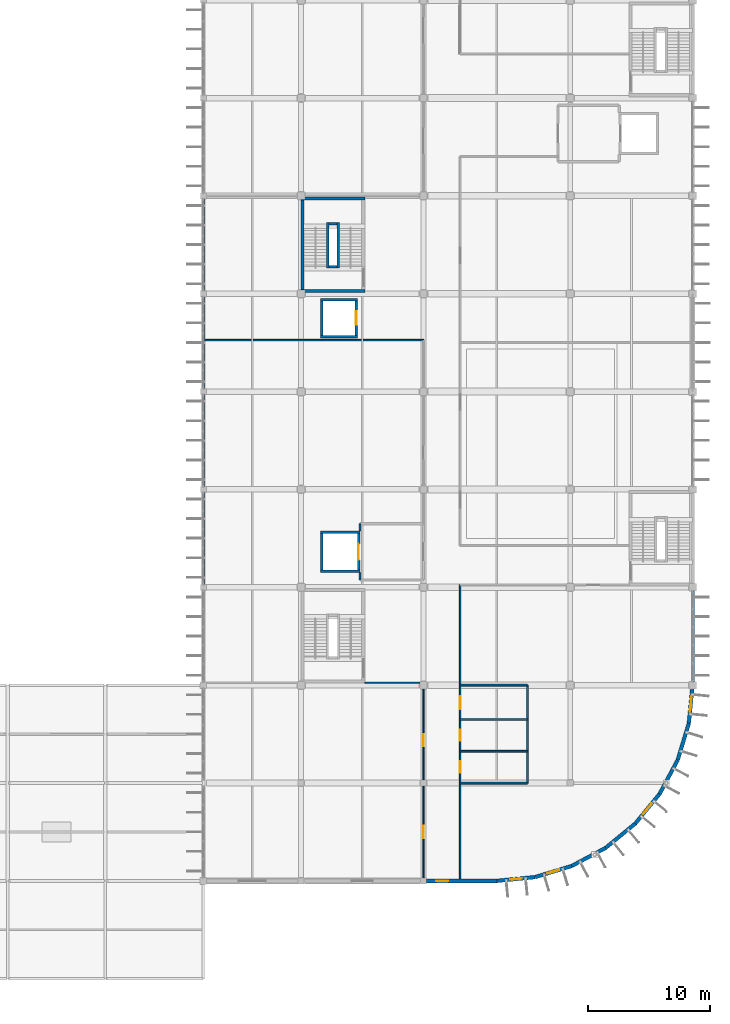
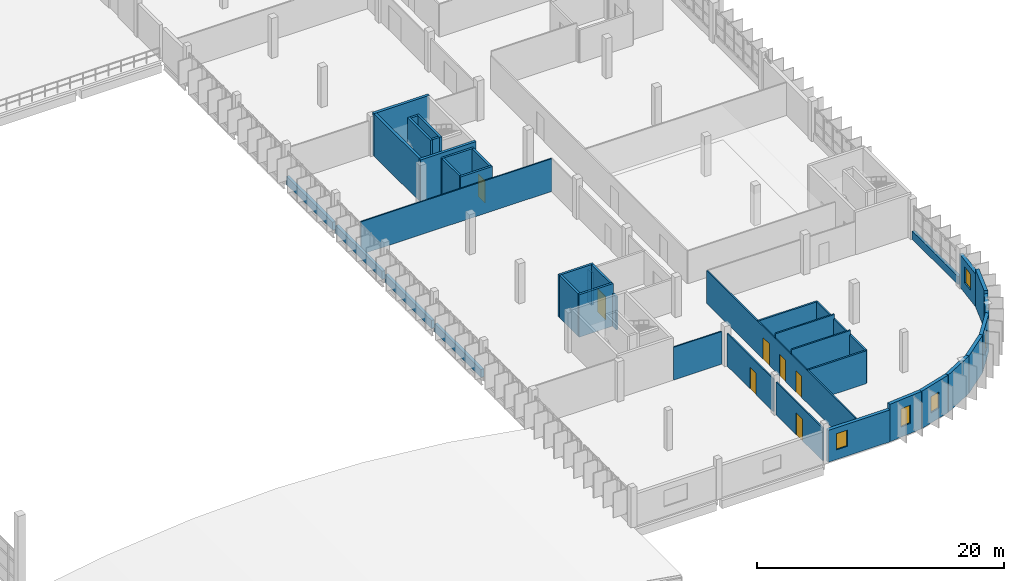
# One storey, part 51 of 66: 41 walls, 7 doors, 5 windows, 12 openings.
"""IFC4 building model written with IfcOpenShell, lengths in metres."""

from ifc_helpers import new_model, si_unit, direction, frame, frame_2d, origin, place, context, subcontext, project, spatial, rectangle, extrude, material, layer, layer_set, type_object, element, fill, save


model = new_model("IFC4")

# Units and contexts
model_context = context("Model", 3, precision=1e-05, world=origin(), true_north=direction((0.0, 1.0)))
body_context = subcontext(model_context, "Body", "Model", "MODEL_VIEW")
ifc_project = project(units=[si_unit("LENGTHUNIT", "METRE"), si_unit("AREAUNIT", "SQUARE_METRE"), si_unit("VOLUMEUNIT", "CUBIC_METRE"), si_unit("PLANEANGLEUNIT", "RADIAN"), si_unit("MASSUNIT", "GRAM", prefix="KILO")], contexts=[model_context])

# Site, building, storey
site_placement = place(None, origin())
site = spatial("IfcSite", under=ifc_project, at=site_placement, CompositionType="ELEMENT")
building_placement = place(site_placement, origin())
building = spatial("IfcBuilding", under=site, at=building_placement, Name="Drelvana Railside Aquatics Centre", CompositionType="ELEMENT")
storey_placement = place(building_placement, frame((0.0, 0.0, 10.199951171875)))
storey = spatial("IfcBuildingStorey", under=building, at=storey_placement, Name="L02", CompositionType="ELEMENT", Elevation=10.199951171875)

# Walls
ifc_material_1 = material(Name="Concrete blockwork compartment wall", Category="masonry")
ifc_layer_1 = layer(ifc_material_1, 0.18505859375, Name="Concrete blockwork compartment wall")
ifc_layer_set_1 = layer_set([ifc_layer_1], Name="Concrete blockwork compartment wall")
wall_type_1 = type_object("IfcWallType", Name="WL-COMP-185", PredefinedType="STANDARD", material=ifc_layer_set_1)
for number, where, z_axis, x_axis, name in (
    (1, (156.800048828125, 32.60009765625, 0.0), (0.0, 0.0, 1.0), (0.0, 1.0, 0.0), "Firefighting lobby FL-01 SHS wall (L02)"),
    (2, (156.800048828125, 36.60009765625, 0.0), (0.0, 0.0, 1.0), (0.0, 1.0, 0.0), "Firefighting lobby FL-01 SHN wall (L02)"),
):
    element("IfcWall", number, at=place(storey_placement, frame(where, z_axis=z_axis, x_axis=x_axis)), inside=storey, type_object=wall_type_1, Name=name, PredefinedType="STANDARD", context=body_context, shape_type="SweptSolid", body=[
        extrude(rectangle(XDim=0.599853515625, YDim=0.18505859375, at=frame_2d((0.2998046875, 0.0))), origin(), (0.0, 0.0, 1.0), 3.239990234375),
    ])
ifc_material_2 = material(Name="Concrete C40/50", Category="concrete")
ifc_layer_2 = layer(ifc_material_2, 0.25, Name="Concrete C40/50")
ifc_layer_set_2 = layer_set([ifc_layer_2], Name="Concrete C40/50")
wall_type_2 = type_object("IfcWallType", Name="WL-CORE-250", PredefinedType="SHEAR", material=ifc_layer_set_2)
for number, where, z_axis, x_axis, name in (
    (3, (152.0, 56.22509765625, 0.0), (0.0, 0.0, 1.0), (1.0, 0.0, 0.0), "Core 8 Federation Wing Central-West S core wall (L02)"),
    (4, (152.0, 63.77490234375, 0.0), (0.0, 0.0, 1.0), (1.0, 0.0, 0.0), "Core 8 Federation Wing Central-West N core wall (L02)"),
):
    element("IfcWall", number, at=place(storey_placement, frame(where, z_axis=z_axis, x_axis=x_axis)), inside=storey, type_object=wall_type_2, Name=name, PredefinedType="SHEAR", context=body_context, shape_type="SweptSolid", body=[
        extrude(rectangle(XDim=5.199951171875, YDim=0.25, at=frame_2d((2.60009765625, 0.0))), origin(), (0.0, 0.0, 1.0), 4.199951171875),
    ])
wall_1_placement = place(storey_placement, frame((152.125, 56.35009765625, 0.0), z_axis=(0.0, 0.0, 1.0), x_axis=(0.0, 1.0, 0.0)))
element("IfcWall", 5, at=wall_1_placement, inside=storey, type_object=wall_type_2, Name="Core 8 Federation Wing Central-West W core wall (L02)", PredefinedType="SHEAR", context=body_context, shape_type="SweptSolid", body=[
    extrude(rectangle(XDim=7.2998046875, YDim=0.25, at=frame_2d((3.64990234375, 0.0))), origin(), (0.0, 0.0, 1.0), 4.199951171875),
])

# Wall, opening, door
ifc_material_3 = material(Name="Acoustic twin-stud gypsum partition", Category="gypsum")
ifc_layer_3 = layer(ifc_material_3, 0.1201171875, Name="Acoustic twin-stud gypsum partition")
ifc_layer_set_3 = layer_set([ifc_layer_3], Name="Acoustic twin-stud gypsum partition")
wall_type_3 = type_object("IfcWallType", Name="WL-DRY-120", PredefinedType="PARTITIONING", material=ifc_layer_set_3)
wall_2_placement = place(storey_placement, frame((162.0, 8.251953125, 0.0), z_axis=(0.0, 0.0, 1.0), x_axis=(0.0, 1.0, 0.0)))
wall_2 = element("IfcWall", 6, at=wall_2_placement, inside=storey, type_object=wall_type_3, Name="V5 L02 west corridor wall", PredefinedType="PARTITIONING", context=body_context, shape_type="SweptSolid", body=[
    extrude(rectangle(XDim=7.49609375, YDim=0.1201171875, at=frame_2d((3.748046875, 0.0))), origin(), (0.0, 0.0, 1.0), 3.239990234375),
])
opening_1_placement = place(wall_2_placement, frame((3.248046875, 0.0, 0.0)))
opening_1 = element("IfcOpeningElement", 7, at=opening_1_placement, cuts=wall_2, Name="Opening D-09-223", PredefinedType="OPENING", context=body_context, shape_type="SweptSolid", body=[
    extrude(rectangle(XDim=1.0, YDim=2.14990234375, at=frame_2d((0.5, 1.074951171875))), frame((0.0, 0.070068359375, 0.0), z_axis=(0.0, -1.0, 0.0), x_axis=(1.0, 0.0, 0.0)), (0.0, 0.0, 1.0), 0.14013671875),
])
ifc_material_4 = material(Name="Hardwood acoustic room door", Category="wood")
door_type_1 = type_object("IfcDoorType", Name="DR-INT-ROOM-1000x2150", OperationType="NOTDEFINED", PredefinedType="DOOR", material=ifc_material_4)
door_1_placement = place(opening_1_placement, origin())
door_1 = element("IfcDoor", 8, at=door_1_placement, inside=storey, type_object=door_type_1, Name="Pilates studio south door D-09-223", OperationType="SINGLE_SWING_RIGHT", OverallHeight=2.14990234375, OverallWidth=1.0, PredefinedType="DOOR", context=body_context, shape_type="SweptSolid", body=[
    extrude(rectangle(XDim=1.0, YDim=2.14990234375, at=frame_2d((0.5, 1.074951171875))), frame((0.0, 0.02490234375, 0.0), z_axis=(0.0, -1.0, 0.0), x_axis=(1.0, 0.0, 0.0)), (0.0, 0.0, 1.0), 0.050048828125),
])
fill(opening_1, door_1)

wall_3_placement = place(storey_placement, frame((162.0, 16.251953125, 0.0), z_axis=(0.0, 0.0, 1.0), x_axis=(0.0, 1.0, 0.0)))
wall_3 = element("IfcWall", 9, at=wall_3_placement, inside=storey, type_object=wall_type_3, Name="V5 L02 west corridor wall", PredefinedType="PARTITIONING", context=body_context, shape_type="SweptSolid", body=[
    extrude(rectangle(XDim=7.446044921875, YDim=0.1201171875, at=frame_2d((3.72314453125, 0.0))), origin(), (0.0, 0.0, 1.0), 3.239990234375),
])
opening_2_placement = place(wall_3_placement, frame((2.748046875, 0.0, 0.0)))
opening_2 = element("IfcOpeningElement", 10, at=opening_2_placement, cuts=wall_3, Name="Opening D-09-224", PredefinedType="OPENING", context=body_context, shape_type="SweptSolid", body=[
    extrude(rectangle(XDim=1.0, YDim=2.14990234375, at=frame_2d((0.5, 1.074951171875))), frame((0.0, 0.070068359375, 0.0), z_axis=(0.0, -1.0, 0.0), x_axis=(1.0, 0.0, 0.0)), (0.0, 0.0, 1.0), 0.14013671875),
])
door_2_placement = place(opening_2_placement, origin())
door_2 = element("IfcDoor", 11, at=door_2_placement, inside=storey, type_object=door_type_1, Name="Pilates studio north door D-09-224", OperationType="SINGLE_SWING_LEFT", OverallHeight=2.14990234375, OverallWidth=1.0, PredefinedType="DOOR", context=body_context, shape_type="SweptSolid", body=[
    extrude(rectangle(XDim=1.0, YDim=2.14990234375, at=frame_2d((0.5, 1.074951171875))), frame((0.0, 0.02490234375, 0.0), z_axis=(0.0, -1.0, 0.0), x_axis=(1.0, 0.0, 0.0)), (0.0, 0.0, 1.0), 0.050048828125),
])
fill(opening_2, door_2)

# Walls
wall_4_placement = place(storey_placement, frame((157.205078125, 24.199951171875, 0.0), z_axis=(0.0, 0.0, 1.0), x_axis=(1.0, 0.0, 0.0)))
element("IfcWall", 12, at=wall_4_placement, inside=storey, type_object=wall_type_3, Name="V5 L02 C6 alcove SE wall", PredefinedType="PARTITIONING", context=body_context, shape_type="SweptSolid", body=[
    extrude(rectangle(XDim=4.492919921875, YDim=0.1201171875, at=frame_2d((2.24658203125, 0.0))), origin(), (0.0, 0.0, 1.0), 3.239990234375),
])
wall_5_placement = place(storey_placement, frame((144.14990234375, 52.199951171875, 0.0), z_axis=(0.0, 0.0, 1.0), x_axis=(1.0, 0.0, 0.0)))
element("IfcWall", 13, at=wall_5_placement, inside=storey, type_object=wall_type_3, Name="V5 L02 LP-04 alcove S wall", PredefinedType="PARTITIONING", context=body_context, shape_type="SweptSolid", body=[
    extrude(rectangle(XDim=17.85009765625, YDim=0.1201171875, at=frame_2d((8.925048828125, 0.0))), origin(), (0.0, 0.0, 1.0), 3.239990234375),
])

# Wall, openings, doors
wall_6_placement = place(storey_placement, frame((165.0, 8.14990234375, 0.0), z_axis=(0.0, 0.0, 1.0), x_axis=(0.0, 1.0, 0.0)))
wall_6 = element("IfcWall", 14, at=wall_6_placement, inside=storey, type_object=wall_type_3, Name="V5 L02 east corridor wall", PredefinedType="PARTITIONING", context=body_context, shape_type="SweptSolid", body=[
    extrude(rectangle(XDim=24.050048828125, YDim=0.1201171875, at=frame_2d((12.02490234375, 0.0))), origin(), (0.0, 0.0, 1.0), 3.239990234375),
])
opening_3_placement = place(wall_6_placement, frame((8.699951171875, 0.0, 0.0)))
opening_3 = element("IfcOpeningElement", 15, at=opening_3_placement, cuts=wall_6, Name="Opening D-11-229", PredefinedType="OPENING", context=body_context, shape_type="SweptSolid", body=[
    extrude(rectangle(XDim=0.919921875, YDim=2.10009765625, at=frame_2d((0.4599609375, 1.050048828125))), frame((0.0, 0.070068359375, 0.0), z_axis=(0.0, -1.0, 0.0), x_axis=(1.0, 0.0, 0.0)), (0.0, 0.0, 1.0), 0.14013671875),
])
opening_4_placement = place(wall_6_placement, frame((11.300048828125, 0.0, 0.0)))
opening_4 = element("IfcOpeningElement", 16, at=opening_4_placement, cuts=wall_6, Name="Opening D-11-230", PredefinedType="OPENING", context=body_context, shape_type="SweptSolid", body=[
    extrude(rectangle(XDim=0.919921875, YDim=2.10009765625, at=frame_2d((0.4599609375, 1.050048828125))), frame((0.0, 0.070068359375, 0.0), z_axis=(0.0, -1.0, 0.0), x_axis=(1.0, 0.0, 0.0)), (0.0, 0.0, 1.0), 0.14013671875),
])
opening_5_placement = place(wall_6_placement, frame((13.89990234375, 0.0, 0.0)))
opening_5 = element("IfcOpeningElement", 17, at=opening_5_placement, cuts=wall_6, Name="Opening D-12-231", PredefinedType="OPENING", context=body_context, shape_type="SweptSolid", body=[
    extrude(rectangle(XDim=1.050048828125, YDim=2.14990234375, at=frame_2d((0.52490234375, 1.074951171875))), frame((0.0, 0.070068359375, 0.0), z_axis=(0.0, -1.0, 0.0), x_axis=(1.0, 0.0, 0.0)), (0.0, 0.0, 1.0), 0.14013671875),
])
ifc_material_5 = material(Name="Accessible toilet outward-opening door", Category="wood")
door_type_2 = type_object("IfcDoorType", Name="DR-INT-AWC-1050x2150", OperationType="NOTDEFINED", PredefinedType="DOOR", material=ifc_material_5)
door_3_placement = place(opening_5_placement, origin())
door_3 = element("IfcDoor", 18, at=door_3_placement, inside=storey, type_object=door_type_2, Name="L02 Accessible WC door D-12-231", OperationType="SINGLE_SWING_RIGHT", OverallHeight=2.14990234375, OverallWidth=1.050048828125, PredefinedType="DOOR", context=body_context, shape_type="SweptSolid", body=[
    extrude(rectangle(XDim=1.050048828125, YDim=2.14990234375, at=frame_2d((0.52490234375, 1.074951171875))), frame((0.0, 0.02490234375, 0.0), z_axis=(0.0, -1.0, 0.0), x_axis=(1.0, 0.0, 0.0)), (0.0, 0.0, 1.0), 0.050048828125),
])
fill(opening_5, door_3)
ifc_material_6 = material(Name="Moisture-resistant laminate WC door", Category="wood")
door_type_3 = type_object("IfcDoorType", Name="DR-INT-WC-920x2100", OperationType="NOTDEFINED", PredefinedType="DOOR", material=ifc_material_6)
door_4_placement = place(opening_3_placement, origin())
door_4 = element("IfcDoor", 19, at=door_4_placement, inside=storey, type_object=door_type_3, Name="L02 Male WC door D-11-229", OperationType="SINGLE_SWING_RIGHT", OverallHeight=2.10009765625, OverallWidth=0.919921875, PredefinedType="DOOR", context=body_context, shape_type="SweptSolid", body=[
    extrude(rectangle(XDim=0.919921875, YDim=2.10009765625, at=frame_2d((0.4599609375, 1.050048828125))), frame((0.0, 0.02490234375, 0.0), z_axis=(0.0, -1.0, 0.0), x_axis=(1.0, 0.0, 0.0)), (0.0, 0.0, 1.0), 0.050048828125),
])
fill(opening_3, door_4)
door_5_placement = place(opening_4_placement, origin())
door_5 = element("IfcDoor", 20, at=door_5_placement, inside=storey, type_object=door_type_3, Name="L02 Female WC door D-11-230", OperationType="SINGLE_SWING_LEFT", OverallHeight=2.10009765625, OverallWidth=0.919921875, PredefinedType="DOOR", context=body_context, shape_type="SweptSolid", body=[
    extrude(rectangle(XDim=0.919921875, YDim=2.10009765625, at=frame_2d((0.4599609375, 1.050048828125))), frame((0.0, 0.02490234375, 0.0), z_axis=(0.0, -1.0, 0.0), x_axis=(1.0, 0.0, 0.0)), (0.0, 0.0, 1.0), 0.050048828125),
])
fill(opening_4, door_5)

# Walls
ifc_material_7 = material(Name="Glazed ceramic spandrel wall", Category="masonry")
ifc_layer_4 = layer(ifc_material_7, 0.27001953125, Name="Glazed ceramic spandrel wall")
ifc_layer_set_4 = layer_set([ifc_layer_4], Name="Glazed ceramic spandrel wall")
wall_type_4 = type_object("IfcWallType", Name="WL-EXT-270", PredefinedType="STANDARD", material=ifc_layer_set_4)
for number, where, z_axis, x_axis, name in (
    (21, (144.0, 32.24609375, 0.0), (0.0, 0.0, 1.0), (0.0, 1.0, 0.0), "V5 West L02 sill spandrel"),
    (22, (144.0, 40.24609375, 0.0), (0.0, 0.0, 1.0), (0.0, 1.0, 0.0), "V5 West L02 sill spandrel"),
    (23, (144.0, 48.24609375, 0.0), (0.0, 0.0, 1.0), (0.0, 1.0, 0.0), "V5 West L02 sill spandrel"),
    (24, (144.0, 56.24609375, 0.0), (0.0, 0.0, 1.0), (0.0, 1.0, 0.0), "V5 West L02 sill spandrel"),
):
    element("IfcWall", number, at=place(storey_placement, frame(where, z_axis=z_axis, x_axis=x_axis)), inside=storey, type_object=wall_type_4, Name=name, PredefinedType="STANDARD", context=body_context, shape_type="SweptSolid", body=[
        extrude(rectangle(XDim=7.5078125, YDim=0.27001953125, at=frame_2d((3.75390625, 0.0))), origin(), (0.0, 0.0, 1.0), 0.800048828125),
    ])
wall_7_placement = place(storey_placement, frame((184.0, 24.2958984375, 0.0), z_axis=(0.0, 0.0, 1.0), x_axis=(0.0, 1.0, 0.0)))
element("IfcWall", 25, at=wall_7_placement, inside=storey, type_object=wall_type_4, Name="V5 East L02 sill spandrel", PredefinedType="STANDARD", context=body_context, shape_type="SweptSolid", body=[
    extrude(rectangle(XDim=7.408203125, YDim=0.27001953125, at=frame_2d((3.7041015625, 0.0))), origin(), (0.0, 0.0, 1.0), 0.800048828125),
])

# Wall, opening, window
ifc_material_8 = material(Name="Terracotta rainscreen masonry wall", Category="masonry")
ifc_layer_5 = layer(ifc_material_8, 0.31005859375, Name="Terracotta rainscreen masonry wall")
ifc_layer_set_5 = layer_set([ifc_layer_5], Name="Terracotta rainscreen masonry wall")
wall_type_5 = type_object("IfcWallType", Name="WL-EXT-310", PredefinedType="STANDARD", material=ifc_layer_set_5)
wall_8_placement = place(storey_placement, frame((168.0, 8.0, 0.0), z_axis=(0.0, 0.0, 1.0), x_axis=(0.995186340733, 0.098000751113, 0.0)))
wall_8 = element("IfcWall", 26, at=wall_8_placement, inside=storey, type_object=wall_type_5, Name="V5SE curved wall 1", PredefinedType="STANDARD", context=body_context, shape_type="SweptSolid", body=[
    extrude(rectangle(XDim=3.136474609375, YDim=0.31005859375, at=frame_2d((1.568359375, 0.0))), origin(), (0.0, 0.0, 1.0), 3.699951171875),
])
opening_6_placement = place(wall_8_placement, frame((1.09326171875, 0.0, 1.0)))
opening_6 = element("IfcOpeningElement", 27, at=opening_6_placement, cuts=wall_8, Name="Opening W-03", PredefinedType="OPENING", context=body_context, shape_type="SweptSolid", body=[
    extrude(rectangle(XDim=0.949951171875, YDim=1.800048828125, at=frame_2d((0.47509765625, 0.89990234375))), frame((0.0, 0.1650390625, 0.0), z_axis=(0.0, -1.0, 0.0), x_axis=(1.0, 0.0, 0.0)), (0.0, 0.0, 1.0), 0.330078125),
])
ifc_material_9 = material(Name="Double-glazed solar-control aluminium window", Category="aluminium")
window_type_1 = type_object("IfcWindowType", Name="WIN-03", PartitioningType="SINGLE_PANEL", PredefinedType="WINDOW", material=ifc_material_9)
window_1_placement = place(opening_6_placement, origin())
window_1 = element("IfcWindow", 28, at=window_1_placement, inside=storey, type_object=window_type_1, Name="V5SE curved window WIN-03", OverallHeight=1.800048828125, OverallWidth=0.949951171875, PartitioningType="SINGLE_PANEL", PredefinedType="WINDOW", context=body_context, shape_type="SweptSolid", body=[
    extrude(rectangle(XDim=0.949951171875, YDim=1.800048828125, at=frame_2d((0.47509765625, 0.89990234375))), frame((0.0, 0.030029296875, 0.0), z_axis=(0.0, -1.0, 0.0), x_axis=(1.0, 0.0, 0.0)), (0.0, 0.0, 1.0), 0.06005859375),
])
fill(opening_6, window_1)

wall_9_placement = place(storey_placement, frame((171.121337890625, 8.307373046875, 0.0), z_axis=(0.0, 0.0, 1.0), x_axis=(0.956932713703, 0.29030980253, 0.0)))
wall_9 = element("IfcWall", 29, at=wall_9_placement, inside=storey, type_object=wall_type_5, Name="V5SE curved wall 2", PredefinedType="STANDARD", context=body_context, shape_type="SweptSolid", body=[
    extrude(rectangle(XDim=3.13671875, YDim=0.31005859375, at=frame_2d((1.568359375, 0.0))), origin(), (0.0, 0.0, 1.0), 3.699951171875),
])
opening_7_placement = place(wall_9_placement, frame((1.068359375, 0.0, 1.0)))
opening_7 = element("IfcOpeningElement", 30, at=opening_7_placement, cuts=wall_9, Name="Opening W-04", PredefinedType="OPENING", context=body_context, shape_type="SweptSolid", body=[
    extrude(rectangle(XDim=1.0, YDim=1.60009765625, at=frame_2d((0.5, 0.800048828125))), frame((0.0, 0.1650390625, 0.0), z_axis=(0.0, -1.0, 0.0), x_axis=(1.0, 0.0, 0.0)), (0.0, 0.0, 1.0), 0.330078125),
])
window_type_2 = type_object("IfcWindowType", Name="WIN-04", PartitioningType="SINGLE_PANEL", PredefinedType="WINDOW", material=ifc_material_9)
window_2_placement = place(opening_7_placement, origin())
window_2 = element("IfcWindow", 31, at=window_2_placement, inside=storey, type_object=window_type_2, Name="V5SE curved window WIN-04", OverallHeight=1.60009765625, OverallWidth=1.0, PartitioningType="SINGLE_PANEL", PredefinedType="WINDOW", context=body_context, shape_type="SweptSolid", body=[
    extrude(rectangle(XDim=1.0, YDim=1.60009765625, at=frame_2d((0.5, 0.800048828125))), frame((0.0, 0.030029296875, 0.0), z_axis=(0.0, -1.0, 0.0), x_axis=(1.0, 0.0, 0.0)), (0.0, 0.0, 1.0), 0.06005859375),
])
fill(opening_7, window_2)

# Walls
for number, where, z_axis, x_axis, name in (
    (32, (174.123046875, 9.218017578125, 0.0), (0.0, 0.0, 1.0), (0.881921625826, 0.471396060548, 0.0), "V5SE curved wall 3"),
    (33, (176.88916015625, 10.696533203125, 0.0), (0.0, 0.0, 1.0), (0.773016601683, 0.634385792339, 0.0), "V5SE curved wall 4"),
):
    element("IfcWall", number, at=place(storey_placement, frame(where, z_axis=z_axis, x_axis=x_axis)), inside=storey, type_object=wall_type_5, Name=name, PredefinedType="STANDARD", context=body_context, shape_type="SweptSolid", body=[
        extrude(rectangle(XDim=3.136474609375, YDim=0.31005859375, at=frame_2d((1.568359375, 0.0))), origin(), (0.0, 0.0, 1.0), 3.699951171875),
    ])

# Wall, opening, window
wall_10_placement = place(storey_placement, frame((179.313720703125, 12.686279296875, 0.0), z_axis=(0.0, 0.0, 1.0), x_axis=(0.634385792339, 0.773016601683, 0.0)))
wall_10 = element("IfcWall", 34, at=wall_10_placement, inside=storey, type_object=wall_type_5, Name="V5SE curved wall 5", PredefinedType="STANDARD", context=body_context, shape_type="SweptSolid", body=[
    extrude(rectangle(XDim=3.136474609375, YDim=0.31005859375, at=frame_2d((1.568359375, 0.0))), origin(), (0.0, 0.0, 1.0), 3.699951171875),
])
opening_8_placement = place(wall_10_placement, frame((1.018310546875, 0.0, 1.0)))
opening_8 = element("IfcOpeningElement", 35, at=opening_8_placement, cuts=wall_10, Name="Opening W-07", PredefinedType="OPENING", context=body_context, shape_type="SweptSolid", body=[
    extrude(rectangle(XDim=1.10009765625, YDim=1.85009765625, at=frame_2d((0.550048828125, 0.925048828125))), frame((0.0, 0.1650390625, 0.0), z_axis=(0.0, -1.0, 0.0), x_axis=(1.0, 0.0, 0.0)), (0.0, 0.0, 1.0), 0.330078125),
])
window_type_3 = type_object("IfcWindowType", Name="WIN-07", PartitioningType="SINGLE_PANEL", PredefinedType="WINDOW", material=ifc_material_9)
window_3_placement = place(opening_8_placement, origin())
window_3 = element("IfcWindow", 36, at=window_3_placement, inside=storey, type_object=window_type_3, Name="V5SE curved window WIN-07", OverallHeight=1.85009765625, OverallWidth=1.10009765625, PartitioningType="SINGLE_PANEL", PredefinedType="WINDOW", context=body_context, shape_type="SweptSolid", body=[
    extrude(rectangle(XDim=1.10009765625, YDim=1.85009765625, at=frame_2d((0.550048828125, 0.925048828125))), frame((0.0, 0.030029296875, 0.0), z_axis=(0.0, -1.0, 0.0), x_axis=(1.0, 0.0, 0.0)), (0.0, 0.0, 1.0), 0.06005859375),
])
fill(opening_8, window_3)

# Walls
wall_11_placement = place(storey_placement, frame((181.303466796875, 15.11083984375, 0.0), z_axis=(0.0, 0.0, 1.0), x_axis=(0.471396060548, 0.881921625826, 0.0)))
element("IfcWall", 37, at=wall_11_placement, inside=storey, type_object=wall_type_5, Name="V5SE curved wall 6", PredefinedType="STANDARD", context=body_context, shape_type="SweptSolid", body=[
    extrude(rectangle(XDim=3.136474609375, YDim=0.31005859375, at=frame_2d((1.568359375, 0.0))), origin(), (0.0, 0.0, 1.0), 3.39013671875),
])
wall_12_placement = place(storey_placement, frame((182.781982421875, 17.876953125, 0.0), z_axis=(0.0, 0.0, 1.0), x_axis=(0.29030980253, 0.956932713703, 0.0)))
element("IfcWall", 38, at=wall_12_placement, inside=storey, type_object=wall_type_5, Name="V5SE curved wall 7", PredefinedType="STANDARD", context=body_context, shape_type="SweptSolid", body=[
    extrude(rectangle(XDim=3.13671875, YDim=0.31005859375, at=frame_2d((1.568359375, 0.0))), origin(), (0.0, 0.0, 1.0), 3.699951171875),
])

# Wall, opening, window
wall_13_placement = place(storey_placement, frame((183.692626953125, 20.878662109375, 0.0), z_axis=(0.0, 0.0, 1.0), x_axis=(0.098000751113, 0.995186340733, 0.0)))
wall_13 = element("IfcWall", 39, at=wall_13_placement, inside=storey, type_object=wall_type_5, Name="V5SE curved wall 8", PredefinedType="STANDARD", context=body_context, shape_type="SweptSolid", body=[
    extrude(rectangle(XDim=3.136474609375, YDim=0.31005859375, at=frame_2d((1.568359375, 0.0))), origin(), (0.0, 0.0, 1.0), 3.239990234375),
])
opening_9_placement = place(wall_13_placement, frame((0.96826171875, 0.0, 1.0)))
opening_9 = element("IfcOpeningElement", 40, at=opening_9_placement, cuts=wall_13, Name="Opening W-10", PredefinedType="OPENING", context=body_context, shape_type="SweptSolid", body=[
    extrude(rectangle(XDim=1.199951171875, YDim=1.60009765625, at=frame_2d((0.60009765625, 0.800048828125))), frame((0.0, 0.1650390625, 0.0), z_axis=(0.0, -1.0, 0.0), x_axis=(1.0, 0.0, 0.0)), (0.0, 0.0, 1.0), 0.330078125),
])
window_type_4 = type_object("IfcWindowType", Name="WIN-10", PartitioningType="SINGLE_PANEL", PredefinedType="WINDOW", material=ifc_material_9)
window_4_placement = place(opening_9_placement, origin())
window_4 = element("IfcWindow", 41, at=window_4_placement, inside=storey, type_object=window_type_4, Name="V5SE curved window WIN-10", OverallHeight=1.60009765625, OverallWidth=1.199951171875, PartitioningType="SINGLE_PANEL", PredefinedType="WINDOW", context=body_context, shape_type="SweptSolid", body=[
    extrude(rectangle(XDim=1.199951171875, YDim=1.60009765625, at=frame_2d((0.60009765625, 0.800048828125))), frame((0.0, 0.030029296875, 0.0), z_axis=(0.0, -1.0, 0.0), x_axis=(1.0, 0.0, 0.0)), (0.0, 0.0, 1.0), 0.06005859375),
])
fill(opening_9, window_4)

wall_14_placement = place(storey_placement, frame((162.24609375, 8.0, 0.0), z_axis=(0.0, 0.0, 1.0), x_axis=(1.0, 0.0, 0.0)))
wall_14 = element("IfcWall", 42, at=wall_14_placement, inside=storey, type_object=wall_type_5, Name="V5 L02 end bay wall", PredefinedType="STANDARD", context=body_context, shape_type="SweptSolid", body=[
    extrude(rectangle(XDim=5.77392578125, YDim=0.31005859375, at=frame_2d((2.886962890625, 0.0))), origin(), (0.0, 0.0, 1.0), 3.150146484375),
])
opening_10_placement = place(wall_14_placement, frame((0.783935546875, 0.0, 0.949951171875)))
opening_10 = element("IfcOpeningElement", 43, at=opening_10_placement, cuts=wall_14, Name="Opening W-04", PredefinedType="OPENING", context=body_context, shape_type="SweptSolid", body=[
    extrude(rectangle(XDim=1.0, YDim=1.60009765625, at=frame_2d((0.5, 0.800048828125))), frame((0.0, 0.1650390625, 0.0), z_axis=(0.0, -1.0, 0.0), x_axis=(1.0, 0.0, 0.0)), (0.0, 0.0, 1.0), 0.330078125),
])
window_5_placement = place(opening_10_placement, origin())
window_5 = element("IfcWindow", 44, at=window_5_placement, inside=storey, type_object=window_type_2, Name="V5 L02 end window WIN-04", OverallHeight=1.60009765625, OverallWidth=1.0, PartitioningType="SINGLE_PANEL", PredefinedType="WINDOW", context=body_context, shape_type="SweptSolid", body=[
    extrude(rectangle(XDim=1.0, YDim=1.60009765625, at=frame_2d((0.5, 0.800048828125))), frame((0.0, 0.030029296875, 0.0), z_axis=(0.0, -1.0, 0.0), x_axis=(1.0, 0.0, 0.0)), (0.0, 0.0, 1.0), 0.06005859375),
])
fill(opening_10, window_5)

# Walls
ifc_layer_6 = layer(ifc_material_2, 0.199951171875, Name="Concrete C40/50")
ifc_layer_set_6 = layer_set([ifc_layer_6], Name="Concrete C40/50")
wall_type_6 = type_object("IfcWallType", Name="WL-SHFT-200", PredefinedType="SHEAR", material=ifc_layer_set_6)
for number, where, z_axis, x_axis, name in (
    (45, (153.60009765625, 33.300048828125, 0.0), (0.0, 0.0, 1.0), (1.0, 0.0, 0.0), "Lift FL-01 S shaft wall (L02)"),
    (46, (153.60009765625, 36.5, 0.0), (0.0, 0.0, 1.0), (1.0, 0.0, 0.0), "Lift FL-01 N shaft wall (L02)"),
):
    element("IfcWall", number, at=place(storey_placement, frame(where, z_axis=z_axis, x_axis=x_axis)), inside=storey, type_object=wall_type_6, Name=name, PredefinedType="SHEAR", context=body_context, shape_type="SweptSolid", body=[
        extrude(rectangle(XDim=3.199951171875, YDim=0.199951171875, at=frame_2d((1.60009765625, 0.0))), origin(), (0.0, 0.0, 1.0), 4.199951171875),
    ])
wall_15_placement = place(storey_placement, frame((153.699951171875, 33.39990234375, 0.0), z_axis=(0.0, 0.0, 1.0), x_axis=(0.0, 1.0, 0.0)))
element("IfcWall", 47, at=wall_15_placement, inside=storey, type_object=wall_type_6, Name="Lift FL-01 W shaft wall (L02)", PredefinedType="SHEAR", context=body_context, shape_type="SweptSolid", body=[
    extrude(rectangle(XDim=3.0, YDim=0.199951171875, at=frame_2d((1.5, 0.0))), origin(), (0.0, 0.0, 1.0), 4.199951171875),
])

# Wall, opening, door
wall_16_placement = place(storey_placement, frame((156.699951171875, 33.39990234375, 0.0), z_axis=(0.0, 0.0, 1.0), x_axis=(0.0, 1.0, 0.0)))
wall_16 = element("IfcWall", 48, at=wall_16_placement, inside=storey, type_object=wall_type_6, Name="Lift FL-01 E shaft wall (L02)", PredefinedType="SHEAR", context=body_context, shape_type="SweptSolid", body=[
    extrude(rectangle(XDim=3.0, YDim=0.199951171875, at=frame_2d((1.5, 0.0))), origin(), (0.0, 0.0, 1.0), 4.199951171875),
])
opening_11_placement = place(wall_16_placement, frame((0.85009765625, 0.0, 0.0)))
opening_11 = element("IfcOpeningElement", 49, at=opening_11_placement, cuts=wall_16, Name="Opening LD-02-047", PredefinedType="OPENING", context=body_context, shape_type="SweptSolid", body=[
    extrude(rectangle(XDim=1.300048828125, YDim=2.300048828125, at=frame_2d((0.64990234375, 1.14990234375))), frame((0.0, 0.10986328125, 0.0), z_axis=(0.0, -1.0, 0.0), x_axis=(1.0, 0.0, 0.0)), (0.0, 0.0, 1.0), 0.219970703125),
])
ifc_material_10 = material(Name="Firefighting & goods lift sliding door", Category="wood")
door_type_4 = type_object("IfcDoorType", Name="DR-LIFT-LD-1300x2300", OperationType="SLIDING_TO_RIGHT", PredefinedType="DOOR", material=ifc_material_10)
door_6_placement = place(opening_11_placement, origin())
door_6 = element("IfcDoor", 50, at=door_6_placement, inside=storey, type_object=door_type_4, Name="Lift FL-01 landing door LD-02-047", OperationType="SLIDING_TO_RIGHT", OverallHeight=2.300048828125, OverallWidth=1.300048828125, PredefinedType="DOOR", context=body_context, shape_type="SweptSolid", body=[
    extrude(rectangle(XDim=1.300048828125, YDim=2.300048828125, at=frame_2d((0.64990234375, 1.14990234375))), frame((0.0, 0.02490234375, 0.0), z_axis=(0.0, -1.0, 0.0), x_axis=(1.0, 0.0, 0.0)), (0.0, 0.0, 1.0), 0.050048828125),
])
fill(opening_11, door_6)

# Walls
for number, where, z_axis, x_axis, name in (
    (51, (154.169921875, 58.090087890625, 0.0), (0.0, 0.0, 1.0), (0.0, 1.0, 0.0), "Stair ST-08 central spine wall A (L02)"),
    (52, (155.030029296875, 58.090087890625, 0.0), (0.0, 0.0, 1.0), (0.0, 1.0, 0.0), "Stair ST-08 central spine wall B (L02)"),
):
    element("IfcWall", number, at=place(storey_placement, frame(where, z_axis=z_axis, x_axis=x_axis)), inside=storey, type_object=wall_type_6, Name=name, PredefinedType="SHEAR", context=body_context, shape_type="SweptSolid", body=[
        extrude(rectangle(XDim=3.719970703125, YDim=0.199951171875, at=frame_2d((1.85986328125, 0.0))), origin(), (0.0, 0.0, 1.0), 4.199951171875),
    ])
for number, where, z_axis, x_axis, name in (
    (53, (154.27001953125, 58.18994140625, 0.0), (0.0, 0.0, 1.0), (1.0, 0.0, 0.0), "Stair ST-08 central spine wall S (L02)"),
    (54, (154.27001953125, 61.7099609375, 0.0), (0.0, 0.0, 1.0), (1.0, 0.0, 0.0), "Stair ST-08 central spine wall N (L02)"),
):
    element("IfcWall", number, at=place(storey_placement, frame(where, z_axis=z_axis, x_axis=x_axis)), inside=storey, type_object=wall_type_6, Name=name, PredefinedType="SHEAR", context=body_context, shape_type="SweptSolid", body=[
        extrude(rectangle(XDim=0.659912109375, YDim=0.199951171875, at=frame_2d((0.330078125, 0.0))), origin(), (0.0, 0.0, 1.0), 4.199951171875),
    ])
for number, where, z_axis, x_axis, name in (
    (55, (153.60009765625, 52.5, 0.0), (0.0, 0.0, 1.0), (1.0, 0.0, 0.0), "Lift LP-04 S shaft wall (L02)"),
    (56, (153.60009765625, 55.5, 0.0), (0.0, 0.0, 1.0), (1.0, 0.0, 0.0), "Lift LP-04 N shaft wall (L02)"),
):
    element("IfcWall", number, at=place(storey_placement, frame(where, z_axis=z_axis, x_axis=x_axis)), inside=storey, type_object=wall_type_6, Name=name, PredefinedType="SHEAR", context=body_context, shape_type="SweptSolid", body=[
        extrude(rectangle(XDim=3.0, YDim=0.199951171875, at=frame_2d((1.5, 0.0))), origin(), (0.0, 0.0, 1.0), 4.199951171875),
    ])
wall_17_placement = place(storey_placement, frame((153.699951171875, 52.60009765625, 0.0), z_axis=(0.0, 0.0, 1.0), x_axis=(0.0, 1.0, 0.0)))
element("IfcWall", 57, at=wall_17_placement, inside=storey, type_object=wall_type_6, Name="Lift LP-04 W shaft wall (L02)", PredefinedType="SHEAR", context=body_context, shape_type="SweptSolid", body=[
    extrude(rectangle(XDim=2.7998046875, YDim=0.199951171875, at=frame_2d((1.39990234375, 0.0))), origin(), (0.0, 0.0, 1.0), 4.199951171875),
])

# Wall, opening, door
wall_18_placement = place(storey_placement, frame((156.5, 52.60009765625, 0.0), z_axis=(0.0, 0.0, 1.0), x_axis=(0.0, 1.0, 0.0)))
wall_18 = element("IfcWall", 58, at=wall_18_placement, inside=storey, type_object=wall_type_6, Name="Lift LP-04 E shaft wall (L02)", PredefinedType="SHEAR", context=body_context, shape_type="SweptSolid", body=[
    extrude(rectangle(XDim=2.7998046875, YDim=0.199951171875, at=frame_2d((1.39990234375, 0.0))), origin(), (0.0, 0.0, 1.0), 4.199951171875),
])
opening_12_placement = place(wall_18_placement, frame((0.85009765625, 0.0, 0.0)))
opening_12 = element("IfcOpeningElement", 59, at=opening_12_placement, cuts=wall_18, Name="Opening LD-01-080", PredefinedType="OPENING", context=body_context, shape_type="SweptSolid", body=[
    extrude(rectangle(XDim=1.10009765625, YDim=2.199951171875, at=frame_2d((0.550048828125, 1.10009765625))), frame((0.0, 0.10986328125, 0.0), z_axis=(0.0, -1.0, 0.0), x_axis=(1.0, 0.0, 0.0)), (0.0, 0.0, 1.0), 0.219970703125),
])
ifc_material_11 = material(Name="Stainless steel lift landing sliding door", Category="steel")
door_type_5 = type_object("IfcDoorType", Name="DR-LIFT-LD-1100x2200", OperationType="SLIDING_TO_LEFT", PredefinedType="DOOR", material=ifc_material_11)
door_7_placement = place(opening_12_placement, origin())
door_7 = element("IfcDoor", 60, at=door_7_placement, inside=storey, type_object=door_type_5, Name="Lift LP-04 landing door LD-01-080", OperationType="SLIDING_TO_LEFT", OverallHeight=2.199951171875, OverallWidth=1.10009765625, PredefinedType="DOOR", context=body_context, shape_type="SweptSolid", body=[
    extrude(rectangle(XDim=1.10009765625, YDim=2.199951171875, at=frame_2d((0.550048828125, 1.10009765625))), frame((0.0, 0.02490234375, 0.0), z_axis=(0.0, -1.0, 0.0), x_axis=(1.0, 0.0, 0.0)), (0.0, 0.0, 1.0), 0.050048828125),
])
fill(opening_12, door_7)

# Walls
ifc_material_12 = material(Name="Moisture-resistant tiled plumbing chase wall", Category="masonry")
ifc_layer_7 = layer(ifc_material_12, 0.139892578125, Name="Moisture-resistant tiled plumbing chase wall")
ifc_layer_set_7 = layer_set([ifc_layer_7], Name="Moisture-resistant tiled plumbing chase wall")
wall_type_7 = type_object("IfcWallType", Name="WL-WET-140", PredefinedType="PLUMBINGWALL", material=ifc_layer_set_7)
for number, where, z_axis, x_axis, name in (
    (61, (165.0, 18.60009765625, 0.0), (0.0, 0.0, 1.0), (1.0, 0.0, 0.0), "L02 WC divider 1"),
    (62, (165.0, 21.199951171875, 0.0), (0.0, 0.0, 1.0), (1.0, 0.0, 0.0), "L02 WC divider 2"),
):
    element("IfcWall", number, at=place(storey_placement, frame(where, z_axis=z_axis, x_axis=x_axis)), inside=storey, type_object=wall_type_7, Name=name, PredefinedType="PLUMBINGWALL", context=body_context, shape_type="SweptSolid", body=[
        extrude(rectangle(XDim=5.5, YDim=0.139892578125, at=frame_2d((2.75, 0.0))), origin(), (0.0, 0.0, 1.0), 3.670166015625),
    ])
ifc_material_13 = material(Name="Water-resistant ceramic-tiled block partition", Category="masonry")
ifc_layer_8 = layer(ifc_material_13, 0.159912109375, Name="Water-resistant ceramic-tiled block partition")
ifc_layer_set_8 = layer_set([ifc_layer_8], Name="Water-resistant ceramic-tiled block partition")
wall_type_8 = type_object("IfcWallType", Name="WL-WET-160", PredefinedType="PARTITIONING", material=ifc_layer_set_8)
wall_19_placement = place(storey_placement, frame((170.5, 16.0, 0.0), z_axis=(0.0, 0.0, 1.0), x_axis=(0.0, 1.0, 0.0)))
element("IfcWall", 63, at=wall_19_placement, inside=storey, type_object=wall_type_8, Name="L02 WC back wall", PredefinedType="PARTITIONING", context=body_context, shape_type="SweptSolid", body=[
    extrude(rectangle(XDim=8.0, YDim=0.159912109375, at=frame_2d((4.0, 0.0))), origin(), (0.0, 0.0, 1.0), 3.239990234375),
])
for number, where, z_axis, x_axis, name in (
    (64, (165.0, 16.0, 0.0), (0.0, 0.0, 1.0), (1.0, 0.0, 0.0), "L02 WC south wall"),
    (65, (165.0, 24.0, 0.0), (0.0, 0.0, 1.0), (1.0, 0.0, 0.0), "L02 WC north wall"),
):
    element("IfcWall", number, at=place(storey_placement, frame(where, z_axis=z_axis, x_axis=x_axis)), inside=storey, type_object=wall_type_8, Name=name, PredefinedType="PARTITIONING", context=body_context, shape_type="SweptSolid", body=[
        extrude(rectangle(XDim=5.5, YDim=0.159912109375, at=frame_2d((2.75, 0.0))), origin(), (0.0, 0.0, 1.0), 3.239990234375),
    ])

save(model, "model.ifc")
